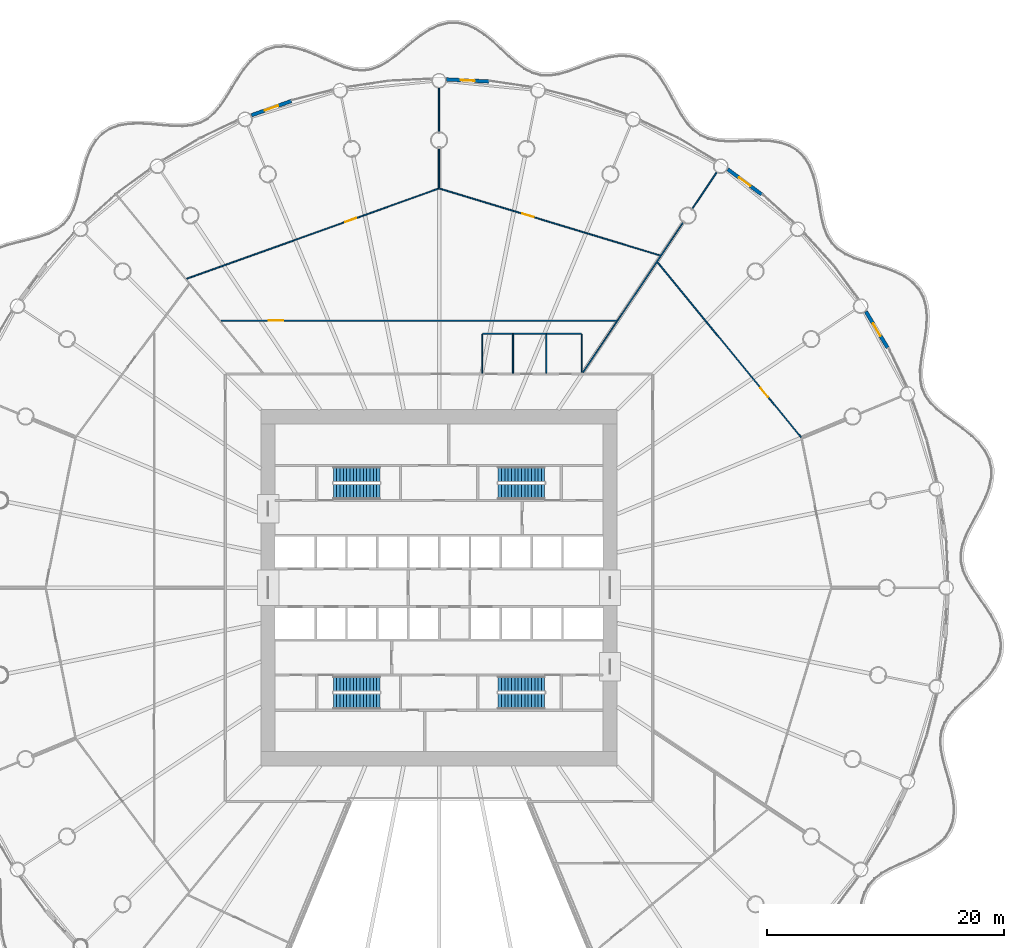
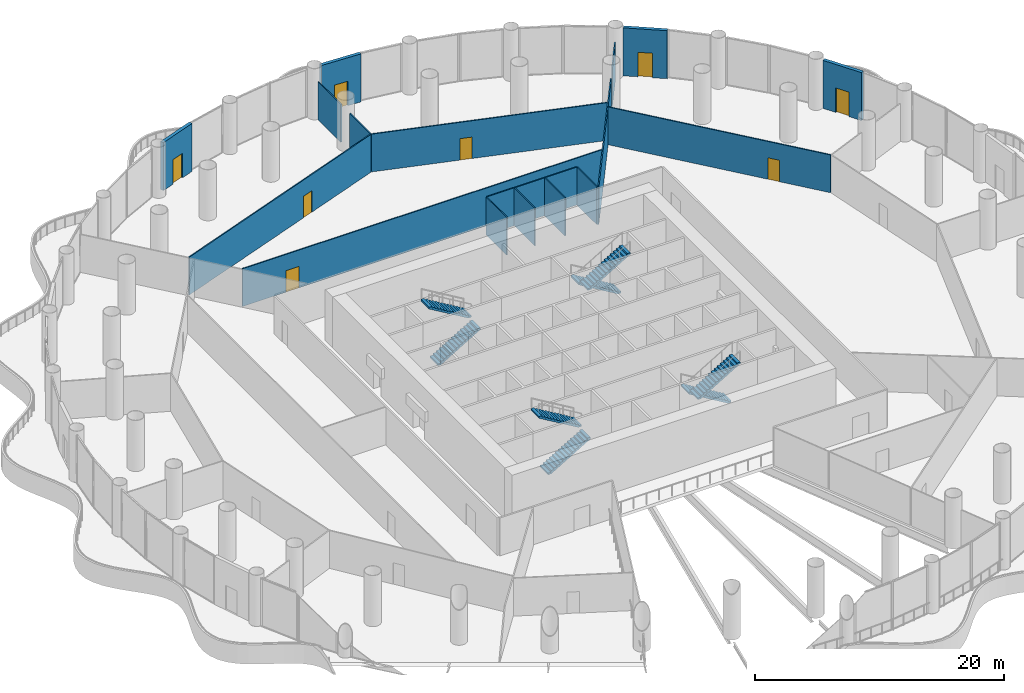
# One storey, part 28 of 36: 17 walls, 8 doors, 8 stair flights, 8 openings, 4 elements without a shape of their own.
"""IFC4 building model written with IfcOpenShell, lengths in metres."""

import ifcopenshell
import ifcopenshell.guid

model = None  # the IFC model being written
_history = None  # IfcOwnerHistory: only IFC2X3 demands one
_inside = {}  # id of a spatial element -> (the spatial element, [elements in it])
_under = {}  # id of a project, library or spatial element -> (it, [spatial elements below it])
_declared = {}  # id of a project -> (the project, [libraries it declares])
_typed = {}  # id of a type object -> (the type object, [elements of that type])
_made_of = {}  # id of a material, layer set ... -> (it, [elements and type objects made of it])


def new_model(schema):
    """Start an empty IFC model of exactly this schema.

    Asked for "IFC4X3", IfcOpenShell would pick the latest addendum, in which some entities
    have other attributes; the version numbers below select the first issue.
    IFC2X3 requires an IfcOwnerHistory on every rooted entity: one is made here for all.
    """
    global model, _history
    if schema == "IFC4X3":
        model = ifcopenshell.file(schema_version=(4, 3, 0, 0))
    else:
        model = ifcopenshell.file(schema=schema)
    _inside.clear()
    _under.clear()
    _declared.clear()
    _typed.clear()
    _made_of.clear()
    _history = None
    if model.schema == "IFC2X3":
        org = make("IfcOrganization", Name="unknown")
        user = make(
            "IfcPersonAndOrganization",
            ThePerson=make("IfcPerson", FamilyName="unknown"),
            TheOrganization=org,
        )
        app = make(
            "IfcApplication",
            ApplicationDeveloper=org,
            Version="unknown",
            ApplicationFullName="unknown",
            ApplicationIdentifier="unknown",
        )
        _history = make(
            "IfcOwnerHistory",
            OwningUser=user,
            OwningApplication=app,
            ChangeAction="ADDED",
            CreationDate=0,
        )
    return model


def make(cls, **values):
    """One entity of the class cls with the attributes given. An attribute that is None is left unset."""
    return model.create_entity(
        cls, **{name: value for name, value in values.items() if value is not None}
    )


def rooted(cls, **values):
    """An entity with a GlobalId (a new one), such as an element, a storey or a relation."""
    return make(cls, GlobalId=ifcopenshell.guid.new(), OwnerHistory=_history, **values)


def si_unit(unit_type, name, prefix=None):
    """IfcSIUnit, for example si_unit("LENGTHUNIT", "METRE", prefix="MILLI")."""
    return make("IfcSIUnit", UnitType=unit_type, Prefix=prefix, Name=name)


def assignment(units):
    """IfcUnitAssignment: the units of a project."""
    return None if units is None else make("IfcUnitAssignment", Units=units)


def point(xyz):
    """IfcCartesianPoint."""
    return None if xyz is None else make("IfcCartesianPoint", Coordinates=xyz)


def direction(xyz):
    """IfcDirection."""
    return None if xyz is None else make("IfcDirection", DirectionRatios=xyz)


def frame(location, z_axis=None, x_axis=None):
    """IfcAxis2Placement3D, a coordinate frame: its origin and axes. An axis left out is left unset."""
    return make(
        "IfcAxis2Placement3D",
        Location=point(location),
        Axis=direction(z_axis),
        RefDirection=direction(x_axis),
    )


def frame_2d(location, x_axis=None):
    """IfcAxis2Placement2D, a coordinate frame in the plane: its origin and x axis."""
    return make(
        "IfcAxis2Placement2D", Location=point(location), RefDirection=direction(x_axis)
    )


def origin():
    """The frame at (0, 0, 0) with its axes left unset."""
    return frame((0.0, 0.0, 0.0))


def place(relative_to, where):
    """IfcLocalPlacement: puts the frame where relative to a parent placement (None: the world)."""
    return make(
        "IfcLocalPlacement", PlacementRelTo=relative_to, RelativePlacement=where
    )


def context(
    kind, dimensions, precision=None, world=None, true_north=None, identifier=None
):
    """IfcGeometricRepresentationContext, for example the 3D "Model" context."""
    return make(
        "IfcGeometricRepresentationContext",
        ContextIdentifier=identifier,
        ContextType=kind,
        CoordinateSpaceDimension=dimensions,
        Precision=precision,
        WorldCoordinateSystem=world,
        TrueNorth=true_north,
    )


def subcontext(parent, identifier, kind, view, scale=None):
    """IfcGeometricRepresentationSubContext, for example "Body" below "Model"."""
    return make(
        "IfcGeometricRepresentationSubContext",
        ContextIdentifier=identifier,
        ContextType=kind,
        ParentContext=parent,
        TargetScale=scale,
        TargetView=view,
    )


def project(units=None, contexts=None):
    """IfcProject with its units and contexts."""
    return rooted(
        "IfcProject",
        Name="project",
        RepresentationContexts=contexts,
        UnitsInContext=assignment(units),
    )


def spatial(cls, under=None, at=None, **own):
    """A site, building, storey or space (cls), placed at a placement, below another one or the project."""
    s = rooted(cls, ObjectPlacement=at, **own)
    if under is not None:
        _under.setdefault(under.id(), (under, []))[1].append(s)
    return s


def polyline(points):
    """IfcPolyline through the points."""
    return make("IfcPolyline", Points=[point(p) for p in points])


def profile(cls, at=None, kind="AREA", **sizes):
    """A parametric profile (cls). Its sizes go by their IFC names, for example OverallWidth=200.0."""
    return make(cls, ProfileType=kind, Position=at, **sizes)


def rectangle(**sizes):
    """IfcRectangleProfileDef."""
    return profile("IfcRectangleProfileDef", **sizes)


def outline(outer, holes=None, kind="AREA"):
    """IfcArbitraryClosedProfileDef: a profile drawn as a closed curve; with holes, ...WithVoids."""
    if holes is None:
        return make("IfcArbitraryClosedProfileDef", ProfileType=kind, OuterCurve=outer)
    return make(
        "IfcArbitraryProfileDefWithVoids",
        ProfileType=kind,
        OuterCurve=outer,
        InnerCurves=holes,
    )


def extrude(swept, where, along, depth):
    """IfcExtrudedAreaSolid: the profile swept, set in the frame where, extruded along a direction by depth."""
    return make(
        "IfcExtrudedAreaSolid",
        SweptArea=swept,
        Position=where,
        ExtrudedDirection=direction(along),
        Depth=depth,
    )


def shape(context_of_items, identifier, shape_type, items):
    """IfcShapeRepresentation: the items that make up one representation, for example the "Body"."""
    return make(
        "IfcShapeRepresentation",
        ContextOfItems=context_of_items,
        RepresentationIdentifier=identifier,
        RepresentationType=shape_type,
        Items=items,
    )


def material(Name=None, Category=None):
    """IfcMaterial."""
    return make("IfcMaterial", Name=Name, Category=Category)


def layer(
    of_material, thickness, ventilated=None, Name=None, Category=None, Priority=None
):
    """IfcMaterialLayer: one layer of a wall or slab, of a material (None: an air gap)."""
    return make(
        "IfcMaterialLayer",
        Material=of_material,
        LayerThickness=thickness,
        IsVentilated=ventilated,
        Name=Name,
        Category=Category,
        Priority=Priority,
    )


def layer_set(layers, Name=None):
    """IfcMaterialLayerSet."""
    return make("IfcMaterialLayerSet", MaterialLayers=layers, LayerSetName=Name)


def made_of(thing, what):
    """Note that an element or type object is made of a material, layer set ...; save() writes the relation."""
    if what is not None:
        _made_of.setdefault(what.id(), (what, []))[1].append(thing)
    return thing


def type_object(cls, material=None, **own):
    """A type object (cls), such as IfcWallType, which elements share."""
    return made_of(rooted(cls, **own), material)


def element(
    cls,
    number,
    at=None,
    inside=None,
    cuts=None,
    type_object=None,
    material=None,
    context=None,
    identifier="Body",
    shape_type=None,
    held_by="IfcProductDefinitionShape",
    body=None,
    shapes=None,
    **own,
):
    """One element of the class cls, such as IfcWall. Its Tag is "e" and its number.

    at: its placement. inside: the storey or other place that contains it. cuts: it is an
    opening in that element (IfcRelVoidsElement). A single representation is given by context,
    identifier, shape_type and body (its items); several are given by shapes. held_by: the class
    of the entity that holds the representations. save() writes the other relations.
    """
    e = rooted(cls, Tag="e%d" % number, ObjectPlacement=at, **own)
    if body is not None:
        shapes = [shape(context, identifier, shape_type, body)]
    if shapes is not None:
        e.Representation = make(held_by, Representations=shapes)
    if inside is not None:
        _inside.setdefault(inside.id(), (inside, []))[1].append(e)
    if cuts is not None:
        rooted(
            "IfcRelVoidsElement", RelatingBuildingElement=cuts, RelatedOpeningElement=e
        )
    if type_object is not None:
        _typed.setdefault(type_object.id(), (type_object, []))[1].append(e)
    return made_of(e, material)


def fill(opening, filler):
    """IfcRelFillsElement: the door or window that sits in an opening."""
    return rooted(
        "IfcRelFillsElement",
        RelatingOpeningElement=opening,
        RelatedBuildingElement=filler,
    )


def aggregate(whole, parts):
    """IfcRelAggregates: a whole, such as a stair, and the parts it consists of."""
    return rooted("IfcRelAggregates", RelatingObject=whole, RelatedObjects=parts)


def save(model, path):
    """Write the relations noted so far, then the file.

    IfcRelAggregates (storeys below a building ...), IfcRelContainedInSpatialStructure (elements
    in a storey), IfcRelDefinesByType, IfcRelAssociatesMaterial and IfcRelDeclares: one each for
    every whole, place, type object, material and project.
    """
    for whole, parts in _under.values():
        aggregate(whole, parts)
    for where, things in _inside.values():
        rooted(
            "IfcRelContainedInSpatialStructure",
            RelatedElements=things,
            RelatingStructure=where,
        )
    for kind, things in _typed.values():
        rooted("IfcRelDefinesByType", RelatedObjects=things, RelatingType=kind)
    for what, things in _made_of.values():
        rooted("IfcRelAssociatesMaterial", RelatedObjects=things, RelatingMaterial=what)
    for by, libraries in _declared.values():
        rooted("IfcRelDeclares", RelatingContext=by, RelatedDefinitions=libraries)
    model.write(path)


model = new_model("IFC4")

# Units and contexts
model_context = context("Model", 3, precision=1e-05, world=origin(), true_north=direction((0.0, 1.0)))
body_context = subcontext(model_context, "Body", "Model", "MODEL_VIEW")
ifc_project = project(units=[si_unit("LENGTHUNIT", "METRE"), si_unit("AREAUNIT", "SQUARE_METRE"), si_unit("VOLUMEUNIT", "CUBIC_METRE"), si_unit("PLANEANGLEUNIT", "RADIAN"), si_unit("MASSUNIT", "GRAM", prefix="KILO")], contexts=[model_context])

# Site, building, storey
site_placement = place(None, origin())
site = spatial("IfcSite", under=ifc_project, at=site_placement, CompositionType="ELEMENT")
building_placement = place(site_placement, origin())
building = spatial("IfcBuilding", under=site, at=building_placement, Name="Corvane Civic Tower", CompositionType="ELEMENT")
storey_placement = place(building_placement, frame((0.0, 0.0, 17.0)))
storey = spatial("IfcBuildingStorey", under=building, at=storey_placement, Name="L03", CompositionType="ELEMENT", Elevation=17.0)

# Wall, opening, door
ifc_material_1 = material(Name="Terracotta cladding", Category="masonry")
ifc_layer_1 = layer(ifc_material_1, 0.300048828125)
ifc_layer_set_1 = layer_set([ifc_layer_1], Name="Terracotta cladding")
wall_type_1 = type_object("IfcWallType", Name="PODIUM-W-DRUMDOOR-300", PredefinedType="SOLIDWALL", material=ifc_layer_set_1)
wall_1_placement = place(storey_placement, frame((0.6318359375, 42.81884765625, 0.0), z_axis=(0.0, 0.0, 1.0), x_axis=(0.998793719427, -0.049103014495, 0.0)))
wall_1 = element("IfcWall", 1, at=wall_1_placement, inside=storey, type_object=wall_type_1, Name="L03 drum door bay wall 01", PredefinedType="SOLIDWALL", context=body_context, shape_type="SweptSolid", body=[
    extrude(rectangle(XDim=3.56005859375, YDim=0.300048828125, at=frame_2d((1.780029296875, 0.0))), origin(), (0.0, 0.0, 1.0), 4.699951171875),
])
opening_1_placement = place(wall_1_placement, frame((1.179931640625, 0.0, 0.0)))
opening_1 = element("IfcOpeningElement", 2, at=opening_1_placement, cuts=wall_1, Name="Opening ED-L03-01", PredefinedType="OPENING", context=body_context, shape_type="SweptSolid", body=[
    extrude(rectangle(XDim=1.199951171875, YDim=2.39990234375, at=frame_2d((0.60009765625, 1.199951171875))), frame((0.0, 0.159912109375, 0.0), z_axis=(0.0, -1.0, 0.0), x_axis=(1.0, 0.0, 0.0)), (0.0, 0.0, 1.0), 0.320068359375),
])
ifc_material_2 = material(Name="Anodised aluminium and glass", Category="aluminium")
door_type_1 = type_object("IfcDoorType", Name="PODIUM-D-BALCONY-1200", OperationType="SINGLE_SWING_LEFT", PredefinedType="DOOR", material=ifc_material_2)
door_1_placement = place(opening_1_placement, origin())
door_1 = element("IfcDoor", 3, at=door_1_placement, inside=storey, type_object=door_type_1, Name="L03 balcony door 01", OperationType="SINGLE_SWING_LEFT", OverallHeight=2.39990234375, OverallWidth=1.199951171875, PredefinedType="DOOR", context=body_context, shape_type="SweptSolid", body=[
    extrude(rectangle(XDim=1.199951171875, YDim=2.39990234375, at=frame_2d((0.60009765625, 1.199951171875))), frame((0.0, 0.02490234375, 0.0), z_axis=(0.0, -1.0, 0.0), x_axis=(1.0, 0.0, 0.0)), (0.0, 0.0, 1.0), 0.050048828125),
])
fill(opening_1, door_1)

wall_2_placement = place(storey_placement, frame((24.314208984375, 35.25146484375, 0.0), z_axis=(0.0, 0.0, 1.0), x_axis=(0.803190124061, -0.595722774963, 0.0)))
wall_2 = element("IfcWall", 4, at=wall_2_placement, inside=storey, type_object=wall_type_1, Name="L03 drum door bay wall 04", PredefinedType="SOLIDWALL", context=body_context, shape_type="SweptSolid", body=[
    extrude(rectangle(XDim=3.559814453125, YDim=0.300048828125, at=frame_2d((1.77978515625, 0.0))), origin(), (0.0, 0.0, 1.0), 4.699951171875),
])
opening_2_placement = place(wall_2_placement, frame((1.179931640625, 0.0, 0.0)))
opening_2 = element("IfcOpeningElement", 5, at=opening_2_placement, cuts=wall_2, Name="Opening ED-L03-04", PredefinedType="OPENING", context=body_context, shape_type="SweptSolid", body=[
    extrude(rectangle(XDim=1.199951171875, YDim=2.39990234375, at=frame_2d((0.60009765625, 1.199951171875))), frame((0.0, 0.159912109375, 0.0), z_axis=(0.0, -1.0, 0.0), x_axis=(1.0, 0.0, 0.0)), (0.0, 0.0, 1.0), 0.320068359375),
])
door_2_placement = place(opening_2_placement, origin())
door_2 = element("IfcDoor", 6, at=door_2_placement, inside=storey, type_object=door_type_1, Name="L03 balcony door 04", OperationType="SINGLE_SWING_RIGHT", OverallHeight=2.39990234375, OverallWidth=1.199951171875, PredefinedType="DOOR", context=body_context, shape_type="SweptSolid", body=[
    extrude(rectangle(XDim=1.199951171875, YDim=2.39990234375, at=frame_2d((0.60009765625, 1.199951171875))), frame((0.0, 0.02490234375, 0.0), z_axis=(0.0, -1.0, 0.0), x_axis=(1.0, 0.0, 0.0)), (0.0, 0.0, 1.0), 0.050048828125),
])
fill(opening_2, door_2)

wall_3_placement = place(storey_placement, frame((35.95361328125, 23.26318359375, 0.0), z_axis=(0.0, 0.0, 1.0), x_axis=(0.514142680525, -0.85770467182, 0.0)))
wall_3 = element("IfcWall", 7, at=wall_3_placement, inside=storey, type_object=wall_type_1, Name="L03 drum door bay wall 06", PredefinedType="SOLIDWALL", context=body_context, shape_type="SweptSolid", body=[
    extrude(rectangle(XDim=3.5595703125, YDim=0.300048828125, at=frame_2d((1.77978515625, 0.0))), origin(), (0.0, 0.0, 1.0), 4.699951171875),
])
opening_3_placement = place(wall_3_placement, frame((1.179931640625, 0.0, 0.0)))
opening_3 = element("IfcOpeningElement", 8, at=opening_3_placement, cuts=wall_3, Name="Opening ED-L03-06", PredefinedType="OPENING", context=body_context, shape_type="SweptSolid", body=[
    extrude(rectangle(XDim=1.199951171875, YDim=2.39990234375, at=frame_2d((0.60009765625, 1.199951171875))), frame((0.0, 0.159912109375, 0.0), z_axis=(0.0, -1.0, 0.0), x_axis=(1.0, 0.0, 0.0)), (0.0, 0.0, 1.0), 0.320068359375),
])
door_3_placement = place(opening_3_placement, origin())
door_3 = element("IfcDoor", 9, at=door_3_placement, inside=storey, type_object=door_type_1, Name="L03 balcony door 06", OperationType="SINGLE_SWING_RIGHT", OverallHeight=2.39990234375, OverallWidth=1.199951171875, PredefinedType="DOOR", context=body_context, shape_type="SweptSolid", body=[
    extrude(rectangle(XDim=1.199951171875, YDim=2.39990234375, at=frame_2d((0.60009765625, 1.199951171875))), frame((0.0, 0.02490234375, 0.0), z_axis=(0.0, -1.0, 0.0), x_axis=(1.0, 0.0, 0.0)), (0.0, 0.0, 1.0), 0.050048828125),
])
fill(opening_3, door_3)

wall_4_placement = place(storey_placement, frame((-15.80224609375, 39.80126953125, 0.0), z_axis=(0.0, 0.0, 1.0), x_axis=(0.941550911926, 0.336870717414, 0.0)))
wall_4 = element("IfcWall", 10, at=wall_4_placement, inside=storey, type_object=wall_type_1, Name="L03 drum door bay wall 31", PredefinedType="SOLIDWALL", context=body_context, shape_type="SweptSolid", body=[
    extrude(rectangle(XDim=3.559814453125, YDim=0.300048828125, at=frame_2d((1.77978515625, 0.0))), origin(), (0.0, 0.0, 1.0), 4.699951171875),
])
opening_4_placement = place(wall_4_placement, frame((1.179931640625, 0.0, 0.0)))
opening_4 = element("IfcOpeningElement", 11, at=opening_4_placement, cuts=wall_4, Name="Opening ED-L03-31", PredefinedType="OPENING", context=body_context, shape_type="SweptSolid", body=[
    extrude(rectangle(XDim=1.199951171875, YDim=2.39990234375, at=frame_2d((0.60009765625, 1.199951171875))), frame((0.0, 0.159912109375, 0.0), z_axis=(0.0, -1.0, 0.0), x_axis=(1.0, 0.0, 0.0)), (0.0, 0.0, 1.0), 0.320068359375),
])
door_4_placement = place(opening_4_placement, origin())
door_4 = element("IfcDoor", 12, at=door_4_placement, inside=storey, type_object=door_type_1, Name="L03 balcony door 31", OperationType="SINGLE_SWING_LEFT", OverallHeight=2.39990234375, OverallWidth=1.199951171875, PredefinedType="DOOR", context=body_context, shape_type="SweptSolid", body=[
    extrude(rectangle(XDim=1.199951171875, YDim=2.39990234375, at=frame_2d((0.60009765625, 1.199951171875))), frame((0.0, 0.02490234375, 0.0), z_axis=(0.0, -1.0, 0.0), x_axis=(1.0, 0.0, 0.0)), (0.0, 0.0, 1.0), 0.050048828125),
])
fill(opening_4, door_4)

ifc_material_3 = material(Name="Plasterboard")
ifc_layer_2 = layer(ifc_material_3, 0.10009765625)
ifc_layer_set_2 = layer_set([ifc_layer_2], Name="Plasterboard")
wall_type_2 = type_object("IfcWallType", Name="Partition 100 plasterboard on studs", PredefinedType="PARTITIONING", material=ifc_layer_set_2)
wall_5_placement = place(storey_placement, frame((18.39794921875, 27.418212890625, 0.0), z_axis=(0.0, 0.0, 1.0), x_axis=(0.634387015976, -0.773015597489, 0.0)))
wall_5 = element("IfcWall", 13, at=wall_5_placement, inside=storey, type_object=wall_type_2, Name="Partition L03.026", PredefinedType="PARTITIONING", context=body_context, shape_type="SweptSolid", body=[
    extrude(rectangle(XDim=19.076416015625, YDim=0.10009765625, at=frame_2d((9.5380859375, 0.0))), origin(), (0.0, 0.0, 1.0), 3.699951171875),
])
opening_5_placement = place(wall_5_placement, frame((13.69970703125, 0.0, 0.0)))
opening_5 = element("IfcOpeningElement", 14, at=opening_5_placement, cuts=wall_5, Name="Opening L03.021", PredefinedType="OPENING", context=body_context, shape_type="SweptSolid", body=[
    extrude(rectangle(XDim=1.0, YDim=2.10009765625, at=frame_2d((0.5, 1.050048828125))), frame((0.0, 0.06005859375, 0.0), z_axis=(0.0, -1.0, 0.0), x_axis=(1.0, 0.0, 0.0)), (0.0, 0.0, 1.0), 0.1201171875),
])
ifc_material_4 = material(Name="Timber", Category="wood")
door_type_2 = type_object("IfcDoorType", Name="Single door 1000", OperationType="NOTDEFINED", PredefinedType="DOOR", material=ifc_material_4)
door_5_placement = place(opening_5_placement, origin())
door_5 = element("IfcDoor", 15, at=door_5_placement, inside=storey, type_object=door_type_2, Name="Door L03.021", OperationType="SINGLE_SWING_RIGHT", OverallHeight=2.10009765625, OverallWidth=1.0, PredefinedType="DOOR", context=body_context, shape_type="SweptSolid", body=[
    extrude(rectangle(XDim=1.0, YDim=2.10009765625, at=frame_2d((0.5, 1.050048828125))), frame((0.0, 0.02490234375, 0.0), z_axis=(0.0, -1.0, 0.0), x_axis=(1.0, 0.0, 0.0)), (0.0, 0.0, 1.0), 0.050048828125),
])
fill(opening_5, door_5)

# Walls
for number, where, z_axis, x_axis, name in (
    (16, (3.627197265625, 18.074951171875, 0.0), (0.0, 0.0, 1.0), (0.0, 1.0, 0.0), "Partition L03.032"),
    (17, (6.227294921875, 18.074951171875, 0.0), (0.0, 0.0, 1.0), (0.0, 1.0, 0.0), "Partition L03.033"),
    (18, (9.027099609375, 18.074951171875, 0.0), (0.0, 0.0, 1.0), (0.0, 1.0, 0.0), "Partition L03.034"),
):
    element("IfcWall", number, at=place(storey_placement, frame(where, z_axis=z_axis, x_axis=x_axis)), inside=storey, type_object=wall_type_2, Name=name, PredefinedType="PARTITIONING", context=body_context, shape_type="SweptSolid", body=[
        extrude(rectangle(XDim=3.275146484375, YDim=0.10009765625, at=frame_2d((1.6376953125, 0.0))), origin(), (0.0, 0.0, 1.0), 3.699951171875),
    ])
wall_6_placement = place(storey_placement, frame((12.118896484375, 18.136962890625, 0.0), z_axis=(0.0, 0.0, 1.0), x_axis=(0.555561142089, 0.831475686596, 0.0)))
element("IfcWall", 19, at=wall_6_placement, inside=storey, type_object=wall_type_2, Name="Partition L03.036", PredefinedType="PARTITIONING", context=body_context, shape_type="SweptSolid", body=[
    extrude(rectangle(XDim=15.1767578125, YDim=0.10009765625, at=frame_2d((7.58837890625, 0.0))), origin(), (0.0, 0.0, 1.0), 3.699951171875),
])
wall_7_placement = place(storey_placement, frame((12.027099609375, 18.164794921875, 0.0), z_axis=(0.0, 0.0, 1.0), x_axis=(0.0, 1.0, 0.0)))
element("IfcWall", 20, at=wall_7_placement, inside=storey, type_object=wall_type_2, Name="Partition L03.037", PredefinedType="PARTITIONING", context=body_context, shape_type="SweptSolid", body=[
    extrude(rectangle(XDim=3.185302734375, YDim=0.10009765625, at=frame_2d((1.5927734375, 0.0))), origin(), (0.0, 0.0, 1.0), 3.699951171875),
])
wall_8_placement = place(storey_placement, frame((3.67724609375, 21.39990234375, 0.0), z_axis=(0.0, 0.0, 1.0), x_axis=(1.0, 0.0, 0.0)))
element("IfcWall", 21, at=wall_8_placement, inside=storey, type_object=wall_type_2, Name="Partition L03.038", PredefinedType="PARTITIONING", context=body_context, shape_type="SweptSolid", body=[
    extrude(rectangle(XDim=8.300048828125, YDim=0.10009765625, at=frame_2d((4.14990234375, 0.0))), origin(), (0.0, 0.0, 1.0), 3.699951171875),
])

# Wall, opening, door
wall_9_placement = place(storey_placement, frame((-18.359619140625, 22.5, 0.0), z_axis=(0.0, 0.0, 1.0), x_axis=(1.0, 0.0, 0.0)))
wall_9 = element("IfcWall", 22, at=wall_9_placement, inside=storey, type_object=wall_type_2, Name="Partition L03.039", PredefinedType="PARTITIONING", context=body_context, shape_type="SweptSolid", body=[
    extrude(rectangle(XDim=33.300048828125, YDim=0.10009765625, at=frame_2d((16.64990234375, 0.0))), origin(), (0.0, 0.0, 1.0), 3.699951171875),
])
opening_6_placement = place(wall_9_placement, frame((4.02978515625, 0.0, 0.0)))
opening_6 = element("IfcOpeningElement", 23, at=opening_6_placement, cuts=wall_9, Name="Opening L03.016", PredefinedType="OPENING", context=body_context, shape_type="SweptSolid", body=[
    extrude(rectangle(XDim=1.199951171875, YDim=2.10009765625, at=frame_2d((0.60009765625, 1.050048828125))), frame((0.0, 0.06005859375, 0.0), z_axis=(0.0, -1.0, 0.0), x_axis=(1.0, 0.0, 0.0)), (0.0, 0.0, 1.0), 0.1201171875),
])
ifc_material_5 = material(Name="Timber", Category="wood")
door_type_3 = type_object("IfcDoorType", Name="Double door 1200", OperationType="NOTDEFINED", PredefinedType="DOOR", material=ifc_material_5)
door_6_placement = place(opening_6_placement, origin())
door_6 = element("IfcDoor", 24, at=door_6_placement, inside=storey, type_object=door_type_3, Name="Door L03.016", OperationType="DOUBLE_DOOR_SINGLE_SWING", OverallHeight=2.10009765625, OverallWidth=1.199951171875, PredefinedType="DOOR", context=body_context, shape_type="SweptSolid", body=[
    extrude(rectangle(XDim=1.199951171875, YDim=2.10009765625, at=frame_2d((0.60009765625, 1.050048828125))), frame((0.0, 0.02490234375, 0.0), z_axis=(0.0, -1.0, 0.0), x_axis=(1.0, 0.0, 0.0)), (0.0, 0.0, 1.0), 0.050048828125),
])
fill(opening_6, door_6)

wall_10_placement = place(storey_placement, frame((-21.2734375, 26.027099609375, 0.0), z_axis=(0.0, 0.0, 1.0), x_axis=(0.941540967914, 0.336898509554, 0.0)))
wall_10 = element("IfcWall", 25, at=wall_10_placement, inside=storey, type_object=wall_type_2, Name="Partition L03.040", PredefinedType="PARTITIONING", context=body_context, shape_type="SweptSolid", body=[
    extrude(rectangle(XDim=22.55908203125, YDim=0.10009765625, at=frame_2d((11.279541015625, 0.0))), origin(), (0.0, 0.0, 1.0), 3.699951171875),
])
opening_7_placement = place(wall_10_placement, frame((14.1953125, 0.0, 0.0)))
opening_7 = element("IfcOpeningElement", 26, at=opening_7_placement, cuts=wall_10, Name="Opening L03.014", PredefinedType="OPENING", context=body_context, shape_type="SweptSolid", body=[
    extrude(rectangle(XDim=1.0, YDim=2.10009765625, at=frame_2d((0.5, 1.050048828125))), frame((0.0, 0.06005859375, 0.0), z_axis=(0.0, -1.0, 0.0), x_axis=(1.0, 0.0, 0.0)), (0.0, 0.0, 1.0), 0.1201171875),
])
door_7_placement = place(opening_7_placement, origin())
door_7 = element("IfcDoor", 27, at=door_7_placement, inside=storey, type_object=door_type_2, Name="Door L03.014", OperationType="SINGLE_SWING_LEFT", OverallHeight=2.10009765625, OverallWidth=1.0, PredefinedType="DOOR", context=body_context, shape_type="SweptSolid", body=[
    extrude(rectangle(XDim=1.0, YDim=2.10009765625, at=frame_2d((0.5, 1.050048828125))), frame((0.0, 0.02490234375, 0.0), z_axis=(0.0, -1.0, 0.0), x_axis=(1.0, 0.0, 0.0)), (0.0, 0.0, 1.0), 0.050048828125),
])
fill(opening_7, door_7)

wall_11_placement = place(storey_placement, frame((0.035400390625, 33.62841796875, 0.0), z_axis=(0.0, 0.0, 1.0), x_axis=(0.956940754105, -0.29028329806, 0.0)))
wall_11 = element("IfcWall", 28, at=wall_11_placement, inside=storey, type_object=wall_type_2, Name="Partition L03.041", PredefinedType="PARTITIONING", context=body_context, shape_type="SweptSolid", body=[
    extrude(rectangle(XDim=19.425537109375, YDim=0.10009765625, at=frame_2d((9.712890625, 0.0))), origin(), (0.0, 0.0, 1.0), 3.699951171875),
])
opening_8_placement = place(wall_11_placement, frame((7.29150390625, 0.0, 0.0)))
opening_8 = element("IfcOpeningElement", 29, at=opening_8_placement, cuts=wall_11, Name="Opening L03.015", PredefinedType="OPENING", context=body_context, shape_type="SweptSolid", body=[
    extrude(rectangle(XDim=1.0, YDim=2.10009765625, at=frame_2d((0.5, 1.050048828125))), frame((0.0, 0.06005859375, 0.0), z_axis=(0.0, -1.0, 0.0), x_axis=(1.0, 0.0, 0.0)), (0.0, 0.0, 1.0), 0.1201171875),
])
door_8_placement = place(opening_8_placement, origin())
door_8 = element("IfcDoor", 30, at=door_8_placement, inside=storey, type_object=door_type_2, Name="Door L03.015", OperationType="SINGLE_SWING_RIGHT", OverallHeight=2.10009765625, OverallWidth=1.0, PredefinedType="DOOR", context=body_context, shape_type="SweptSolid", body=[
    extrude(rectangle(XDim=1.0, YDim=2.10009765625, at=frame_2d((0.5, 1.050048828125))), frame((0.0, 0.02490234375, 0.0), z_axis=(0.0, -1.0, 0.0), x_axis=(1.0, 0.0, 0.0)), (0.0, 0.0, 1.0), 0.050048828125),
])
fill(opening_8, door_8)

# Walls
wall_12_placement = place(storey_placement, frame((21.339599609375, 31.936767578125, 0.0), z_axis=(0.0, 0.0, 1.0), x_axis=(0.555511389691, 0.831508927146, 0.0)))
element("IfcWall", 31, at=wall_12_placement, inside=storey, type_object=wall_type_2, Name="Partition L03.042", PredefinedType="PARTITIONING", context=body_context, shape_type="SweptSolid", body=[
    extrude(rectangle(XDim=3.679931640625, YDim=0.10009765625, at=frame_2d((1.83984375, 0.0))), origin(), (0.0, 0.0, 1.0), 3.699951171875),
])
wall_13_placement = place(storey_placement, frame((0.0, 33.676025390625, 0.0), z_axis=(0.0, 0.0, 1.0), x_axis=(0.0, 1.0, 0.0)))
element("IfcWall", 32, at=wall_13_placement, inside=storey, type_object=wall_type_2, Name="Partition L03.043", PredefinedType="PARTITIONING", context=body_context, shape_type="SweptSolid", body=[
    extrude(rectangle(XDim=3.31396484375, YDim=0.10009765625, at=frame_2d((1.656982421875, 0.0))), origin(), (0.0, 0.0, 1.0), 3.699951171875),
])
wall_14_placement = place(storey_placement, frame((0.0, 38.409912109375, 0.0), z_axis=(0.0, 0.0, 1.0), x_axis=(0.0, 1.0, 0.0)))
element("IfcWall", 33, at=wall_14_placement, inside=storey, type_object=wall_type_2, Name="Partition L03.044", PredefinedType="PARTITIONING", context=body_context, shape_type="SweptSolid", body=[
    extrude(rectangle(XDim=3.68017578125, YDim=0.10009765625, at=frame_2d((1.840087890625, 0.0))), origin(), (0.0, 0.0, 1.0), 3.699951171875),
])

# Stair, stair flights
ifc_material_6 = material(Name="Concrete C40/50", Category="concrete")
stair_type = type_object("IfcStairType", Name="ST-STAIR-HALFTURN", PredefinedType="HALF_TURN_STAIR", material=ifc_material_6)
stair_1_placement = place(storey_placement, origin())
stair_1 = element("IfcStair", 34, at=stair_1_placement, inside=storey, type_object=stair_type, Name="L03 Exit stair ST1", PredefinedType="HALF_TURN_STAIR")
ifc_material_7 = material(Name="Concrete C40/50", Category="concrete")
stair_flight_type = type_object("IfcStairFlightType", Name="ST-FLIGHT-RC", PredefinedType="STRAIGHT", material=ifc_material_7)
stair_flight_1_placement = place(storey_placement, frame((8.89990234375, 9.550048828125, 0.0), z_axis=(0.0, 0.0, 1.0), x_axis=(-1.0, 0.0, 0.0)))
stair_flight_1 = element("IfcStairFlight", 35, at=stair_flight_1_placement, type_object=stair_flight_type, Name="ST1 flight 1", NumberOfRisers=15, NumberOfTreads=14, PredefinedType="STRAIGHT", RiserHeight=0.166666667, TreadLength=0.28, context=body_context, shape_type="SweptSolid", body=[
    extrude(outline(polyline([(0.0, 0.0), (0.0, 0.166748046875), (0.280029296875, 0.166748046875), (0.280029296875, 0.333251953125), (0.56005859375, 0.333251953125), (0.56005859375, 0.5), (0.840087890625, 0.5), (0.840087890625, 0.666748046875), (1.1201171875, 0.666748046875), (1.1201171875, 0.833251953125), (1.39990234375, 0.833251953125), (1.39990234375, 1.0), (1.679931640625, 1.0), (1.679931640625, 1.166748046875), (1.9599609375, 1.166748046875), (1.9599609375, 1.333251953125), (2.239990234375, 1.333251953125), (2.239990234375, 1.5), (2.52001953125, 1.5), (2.52001953125, 1.666748046875), (2.800048828125, 1.666748046875), (2.800048828125, 1.833251953125), (3.080078125, 1.833251953125), (3.080078125, 2.0), (3.360107421875, 2.0), (3.360107421875, 2.166748046875), (3.639892578125, 2.166748046875), (3.639892578125, 2.333251953125), (3.919921875, 2.333251953125), (3.919921875, 2.5), (3.919921875, 2.158935546875), (0.29296875, 0.0), (0.0, 0.0)])), frame((0.0, 0.64990234375, 0.0), z_axis=(0.0, -1.0, 0.0), x_axis=(1.0, 0.0, 0.0)), (0.0, 0.0, 1.0), 1.300048828125),
])
stair_flight_2_placement = place(storey_placement, frame((4.97998046875, 8.10009765625, 2.5), z_axis=(0.0, 0.0, 1.0), x_axis=(1.0, 0.0, 0.0)))
stair_flight_2 = element("IfcStairFlight", 36, at=stair_flight_2_placement, type_object=stair_flight_type, Name="ST1 flight 2", NumberOfRisers=15, NumberOfTreads=14, PredefinedType="STRAIGHT", RiserHeight=0.166666667, TreadLength=0.28, context=body_context, shape_type="SweptSolid", body=[
    extrude(outline(polyline([(0.0, 0.0), (0.0, 0.166748046875), (0.280029296875, 0.166748046875), (0.280029296875, 0.333251953125), (0.56005859375, 0.333251953125), (0.56005859375, 0.5), (0.840087890625, 0.5), (0.840087890625, 0.666748046875), (1.1201171875, 0.666748046875), (1.1201171875, 0.833251953125), (1.39990234375, 0.833251953125), (1.39990234375, 1.0), (1.679931640625, 1.0), (1.679931640625, 1.166748046875), (1.9599609375, 1.166748046875), (1.9599609375, 1.333251953125), (2.239990234375, 1.333251953125), (2.239990234375, 1.5), (2.52001953125, 1.5), (2.52001953125, 1.666748046875), (2.800048828125, 1.666748046875), (2.800048828125, 1.833251953125), (3.080078125, 1.833251953125), (3.080078125, 2.0), (3.360107421875, 2.0), (3.360107421875, 2.166748046875), (3.639892578125, 2.166748046875), (3.639892578125, 2.333251953125), (3.919921875, 2.333251953125), (3.919921875, 2.5), (3.919921875, 2.158935546875), (0.29296875, 0.0), (0.0, 0.0)])), frame((0.0, 0.64990234375, 0.0), z_axis=(0.0, -1.0, 0.0), x_axis=(1.0, 0.0, 0.0)), (0.0, 0.0, 1.0), 1.300048828125),
])
aggregate(stair_1, [stair_flight_1, stair_flight_2])

stair_2_placement = place(storey_placement, origin())
stair_2 = element("IfcStair", 37, at=stair_2_placement, inside=storey, type_object=stair_type, Name="L03 Exit stair ST2", PredefinedType="HALF_TURN_STAIR")
stair_flight_3_placement = place(storey_placement, frame((8.89990234375, -8.10009765625, 0.0), z_axis=(0.0, 0.0, 1.0), x_axis=(-1.0, 0.0, 0.0)))
stair_flight_3 = element("IfcStairFlight", 38, at=stair_flight_3_placement, type_object=stair_flight_type, Name="ST2 flight 1", NumberOfRisers=15, NumberOfTreads=14, PredefinedType="STRAIGHT", RiserHeight=0.166666667, TreadLength=0.28, context=body_context, shape_type="SweptSolid", body=[
    extrude(outline(polyline([(0.0, 0.0), (0.0, 0.166748046875), (0.280029296875, 0.166748046875), (0.280029296875, 0.333251953125), (0.56005859375, 0.333251953125), (0.56005859375, 0.5), (0.840087890625, 0.5), (0.840087890625, 0.666748046875), (1.1201171875, 0.666748046875), (1.1201171875, 0.833251953125), (1.39990234375, 0.833251953125), (1.39990234375, 1.0), (1.679931640625, 1.0), (1.679931640625, 1.166748046875), (1.9599609375, 1.166748046875), (1.9599609375, 1.333251953125), (2.239990234375, 1.333251953125), (2.239990234375, 1.5), (2.52001953125, 1.5), (2.52001953125, 1.666748046875), (2.800048828125, 1.666748046875), (2.800048828125, 1.833251953125), (3.080078125, 1.833251953125), (3.080078125, 2.0), (3.360107421875, 2.0), (3.360107421875, 2.166748046875), (3.639892578125, 2.166748046875), (3.639892578125, 2.333251953125), (3.919921875, 2.333251953125), (3.919921875, 2.5), (3.919921875, 2.158935546875), (0.29296875, 0.0), (0.0, 0.0)])), frame((0.0, 0.64990234375, 0.0), z_axis=(0.0, -1.0, 0.0), x_axis=(1.0, 0.0, 0.0)), (0.0, 0.0, 1.0), 1.300048828125),
])
stair_flight_4_placement = place(storey_placement, frame((4.97998046875, -9.550048828125, 2.5), z_axis=(0.0, 0.0, 1.0), x_axis=(1.0, 0.0, 0.0)))
stair_flight_4 = element("IfcStairFlight", 39, at=stair_flight_4_placement, type_object=stair_flight_type, Name="ST2 flight 2", NumberOfRisers=15, NumberOfTreads=14, PredefinedType="STRAIGHT", RiserHeight=0.166666667, TreadLength=0.28, context=body_context, shape_type="SweptSolid", body=[
    extrude(outline(polyline([(0.0, 0.0), (0.0, 0.166748046875), (0.280029296875, 0.166748046875), (0.280029296875, 0.333251953125), (0.56005859375, 0.333251953125), (0.56005859375, 0.5), (0.840087890625, 0.5), (0.840087890625, 0.666748046875), (1.1201171875, 0.666748046875), (1.1201171875, 0.833251953125), (1.39990234375, 0.833251953125), (1.39990234375, 1.0), (1.679931640625, 1.0), (1.679931640625, 1.166748046875), (1.9599609375, 1.166748046875), (1.9599609375, 1.333251953125), (2.239990234375, 1.333251953125), (2.239990234375, 1.5), (2.52001953125, 1.5), (2.52001953125, 1.666748046875), (2.800048828125, 1.666748046875), (2.800048828125, 1.833251953125), (3.080078125, 1.833251953125), (3.080078125, 2.0), (3.360107421875, 2.0), (3.360107421875, 2.166748046875), (3.639892578125, 2.166748046875), (3.639892578125, 2.333251953125), (3.919921875, 2.333251953125), (3.919921875, 2.5), (3.919921875, 2.158935546875), (0.29296875, 0.0), (0.0, 0.0)])), frame((0.0, 0.64990234375, 0.0), z_axis=(0.0, -1.0, 0.0), x_axis=(1.0, 0.0, 0.0)), (0.0, 0.0, 1.0), 1.300048828125),
])
aggregate(stair_2, [stair_flight_3, stair_flight_4])

stair_3_placement = place(storey_placement, origin())
stair_3 = element("IfcStair", 40, at=stair_3_placement, inside=storey, type_object=stair_type, Name="L03 Exit stair ST3", PredefinedType="HALF_TURN_STAIR")
stair_flight_5_placement = place(storey_placement, frame((-8.89990234375, -9.550048828125, 0.0), z_axis=(0.0, 0.0, 1.0), x_axis=(1.0, 0.0, 0.0)))
stair_flight_5 = element("IfcStairFlight", 41, at=stair_flight_5_placement, type_object=stair_flight_type, Name="ST3 flight 1", NumberOfRisers=15, NumberOfTreads=14, PredefinedType="STRAIGHT", RiserHeight=0.166666667, TreadLength=0.28, context=body_context, shape_type="SweptSolid", body=[
    extrude(outline(polyline([(0.0, 0.0), (0.0, 0.166748046875), (0.280029296875, 0.166748046875), (0.280029296875, 0.333251953125), (0.56005859375, 0.333251953125), (0.56005859375, 0.5), (0.840087890625, 0.5), (0.840087890625, 0.666748046875), (1.1201171875, 0.666748046875), (1.1201171875, 0.833251953125), (1.39990234375, 0.833251953125), (1.39990234375, 1.0), (1.679931640625, 1.0), (1.679931640625, 1.166748046875), (1.9599609375, 1.166748046875), (1.9599609375, 1.333251953125), (2.239990234375, 1.333251953125), (2.239990234375, 1.5), (2.52001953125, 1.5), (2.52001953125, 1.666748046875), (2.800048828125, 1.666748046875), (2.800048828125, 1.833251953125), (3.080078125, 1.833251953125), (3.080078125, 2.0), (3.360107421875, 2.0), (3.360107421875, 2.166748046875), (3.639892578125, 2.166748046875), (3.639892578125, 2.333251953125), (3.919921875, 2.333251953125), (3.919921875, 2.5), (3.919921875, 2.158935546875), (0.29296875, 0.0), (0.0, 0.0)])), frame((0.0, 0.64990234375, 0.0), z_axis=(0.0, -1.0, 0.0), x_axis=(1.0, 0.0, 0.0)), (0.0, 0.0, 1.0), 1.300048828125),
])
stair_flight_6_placement = place(storey_placement, frame((-4.97998046875, -8.10009765625, 2.5), z_axis=(0.0, 0.0, 1.0), x_axis=(-1.0, 0.0, 0.0)))
stair_flight_6 = element("IfcStairFlight", 42, at=stair_flight_6_placement, type_object=stair_flight_type, Name="ST3 flight 2", NumberOfRisers=15, NumberOfTreads=14, PredefinedType="STRAIGHT", RiserHeight=0.166666667, TreadLength=0.28, context=body_context, shape_type="SweptSolid", body=[
    extrude(outline(polyline([(0.0, 0.0), (0.0, 0.166748046875), (0.280029296875, 0.166748046875), (0.280029296875, 0.333251953125), (0.56005859375, 0.333251953125), (0.56005859375, 0.5), (0.840087890625, 0.5), (0.840087890625, 0.666748046875), (1.1201171875, 0.666748046875), (1.1201171875, 0.833251953125), (1.39990234375, 0.833251953125), (1.39990234375, 1.0), (1.679931640625, 1.0), (1.679931640625, 1.166748046875), (1.9599609375, 1.166748046875), (1.9599609375, 1.333251953125), (2.239990234375, 1.333251953125), (2.239990234375, 1.5), (2.52001953125, 1.5), (2.52001953125, 1.666748046875), (2.800048828125, 1.666748046875), (2.800048828125, 1.833251953125), (3.080078125, 1.833251953125), (3.080078125, 2.0), (3.360107421875, 2.0), (3.360107421875, 2.166748046875), (3.639892578125, 2.166748046875), (3.639892578125, 2.333251953125), (3.919921875, 2.333251953125), (3.919921875, 2.5), (3.919921875, 2.158935546875), (0.29296875, 0.0), (0.0, 0.0)])), frame((0.0, 0.64990234375, 0.0), z_axis=(0.0, -1.0, 0.0), x_axis=(1.0, 0.0, 0.0)), (0.0, 0.0, 1.0), 1.300048828125),
])
aggregate(stair_3, [stair_flight_5, stair_flight_6])

stair_4_placement = place(storey_placement, origin())
stair_4 = element("IfcStair", 43, at=stair_4_placement, inside=storey, type_object=stair_type, Name="L03 Exit stair ST4", PredefinedType="HALF_TURN_STAIR")
stair_flight_7_placement = place(storey_placement, frame((-8.89990234375, 8.10009765625, 0.0), z_axis=(0.0, 0.0, 1.0), x_axis=(1.0, 0.0, 0.0)))
stair_flight_7 = element("IfcStairFlight", 44, at=stair_flight_7_placement, type_object=stair_flight_type, Name="ST4 flight 1", NumberOfRisers=15, NumberOfTreads=14, PredefinedType="STRAIGHT", RiserHeight=0.166666667, TreadLength=0.28, context=body_context, shape_type="SweptSolid", body=[
    extrude(outline(polyline([(0.0, 0.0), (0.0, 0.166748046875), (0.280029296875, 0.166748046875), (0.280029296875, 0.333251953125), (0.56005859375, 0.333251953125), (0.56005859375, 0.5), (0.840087890625, 0.5), (0.840087890625, 0.666748046875), (1.1201171875, 0.666748046875), (1.1201171875, 0.833251953125), (1.39990234375, 0.833251953125), (1.39990234375, 1.0), (1.679931640625, 1.0), (1.679931640625, 1.166748046875), (1.9599609375, 1.166748046875), (1.9599609375, 1.333251953125), (2.239990234375, 1.333251953125), (2.239990234375, 1.5), (2.52001953125, 1.5), (2.52001953125, 1.666748046875), (2.800048828125, 1.666748046875), (2.800048828125, 1.833251953125), (3.080078125, 1.833251953125), (3.080078125, 2.0), (3.360107421875, 2.0), (3.360107421875, 2.166748046875), (3.639892578125, 2.166748046875), (3.639892578125, 2.333251953125), (3.919921875, 2.333251953125), (3.919921875, 2.5), (3.919921875, 2.158935546875), (0.29296875, 0.0), (0.0, 0.0)])), frame((0.0, 0.64990234375, 0.0), z_axis=(0.0, -1.0, 0.0), x_axis=(1.0, 0.0, 0.0)), (0.0, 0.0, 1.0), 1.300048828125),
])
stair_flight_8_placement = place(storey_placement, frame((-4.97998046875, 9.550048828125, 2.5), z_axis=(0.0, 0.0, 1.0), x_axis=(-1.0, 0.0, 0.0)))
stair_flight_8 = element("IfcStairFlight", 45, at=stair_flight_8_placement, type_object=stair_flight_type, Name="ST4 flight 2", NumberOfRisers=15, NumberOfTreads=14, PredefinedType="STRAIGHT", RiserHeight=0.166666667, TreadLength=0.28, context=body_context, shape_type="SweptSolid", body=[
    extrude(outline(polyline([(0.0, 0.0), (0.0, 0.166748046875), (0.280029296875, 0.166748046875), (0.280029296875, 0.333251953125), (0.56005859375, 0.333251953125), (0.56005859375, 0.5), (0.840087890625, 0.5), (0.840087890625, 0.666748046875), (1.1201171875, 0.666748046875), (1.1201171875, 0.833251953125), (1.39990234375, 0.833251953125), (1.39990234375, 1.0), (1.679931640625, 1.0), (1.679931640625, 1.166748046875), (1.9599609375, 1.166748046875), (1.9599609375, 1.333251953125), (2.239990234375, 1.333251953125), (2.239990234375, 1.5), (2.52001953125, 1.5), (2.52001953125, 1.666748046875), (2.800048828125, 1.666748046875), (2.800048828125, 1.833251953125), (3.080078125, 1.833251953125), (3.080078125, 2.0), (3.360107421875, 2.0), (3.360107421875, 2.166748046875), (3.639892578125, 2.166748046875), (3.639892578125, 2.333251953125), (3.919921875, 2.333251953125), (3.919921875, 2.5), (3.919921875, 2.158935546875), (0.29296875, 0.0), (0.0, 0.0)])), frame((0.0, 0.64990234375, 0.0), z_axis=(0.0, -1.0, 0.0), x_axis=(1.0, 0.0, 0.0)), (0.0, 0.0, 1.0), 1.300048828125),
])
aggregate(stair_4, [stair_flight_7, stair_flight_8])

save(model, "model.ifc")
